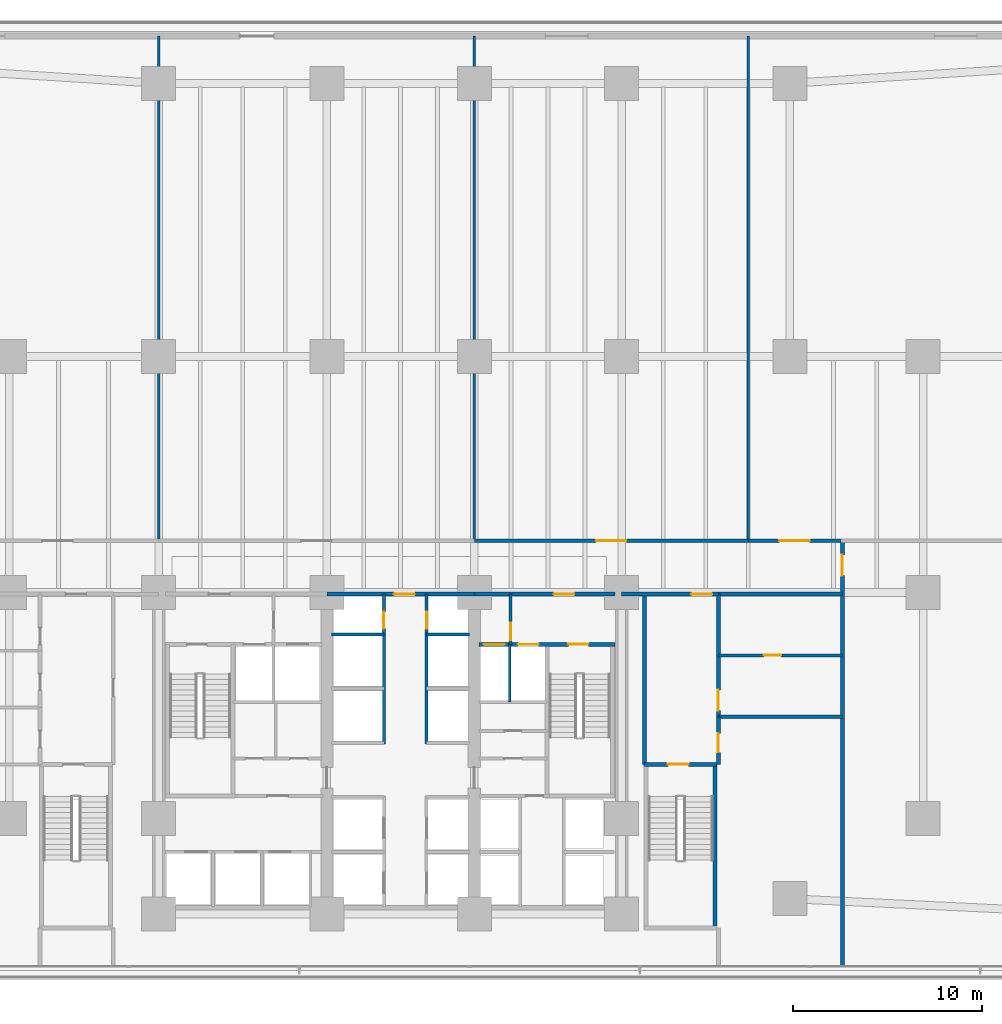
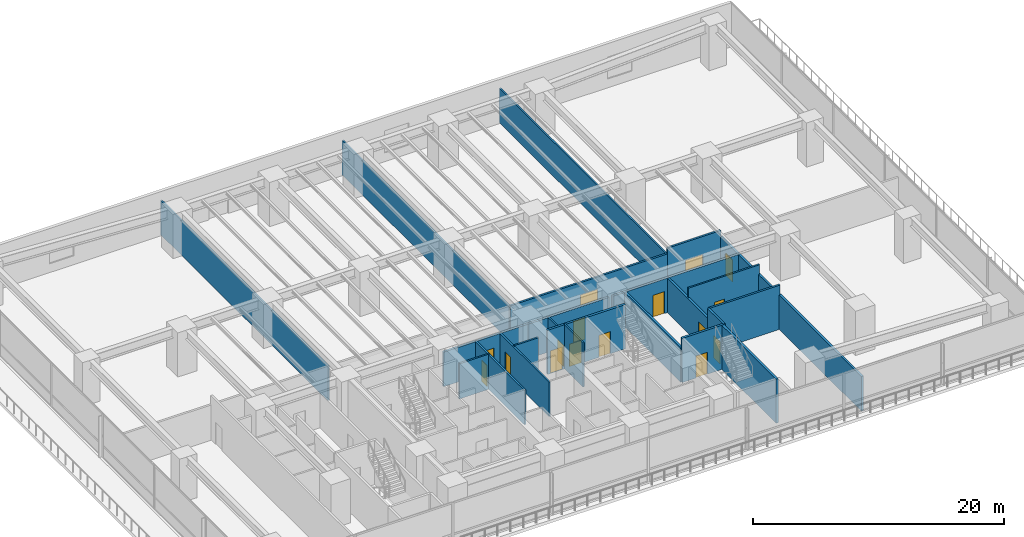
# One storey, part 12 of 28: 24 walls, 16 doors, 16 openings.
"""IFC4 building model written with IfcOpenShell, lengths in metres."""

from ifc_helpers import new_model, si_unit, direction, frame, frame_2d, origin, place, context, subcontext, project, spatial, rectangle, extrude, material, layer, layer_set, type_object, element, fill, save


model = new_model("IFC4")

# Units and contexts
model_context = context("Model", 3, precision=1e-05, world=origin(), true_north=direction((0.0, 1.0)))
body_context = subcontext(model_context, "Body", "Model", "MODEL_VIEW")
ifc_project = project(units=[si_unit("LENGTHUNIT", "METRE"), si_unit("AREAUNIT", "SQUARE_METRE"), si_unit("VOLUMEUNIT", "CUBIC_METRE"), si_unit("PLANEANGLEUNIT", "RADIAN"), si_unit("MASSUNIT", "GRAM", prefix="KILO")], contexts=[model_context])

# Site, building, storey
site_placement = place(None, origin())
site = spatial("IfcSite", under=ifc_project, at=site_placement, CompositionType="ELEMENT")
building_placement = place(site_placement, origin())
building = spatial("IfcBuilding", under=site, at=building_placement, Name="Qalmaran Belvedere Hotel", CompositionType="ELEMENT")
storey_placement = place(building_placement, frame((0.0, 0.0, 10.0)))
storey = spatial("IfcBuildingStorey", under=building, at=storey_placement, Name="L02", CompositionType="ELEMENT", Elevation=10.0)

# Walls
ifc_material_1 = material(Name="Gypsum Stud Partition")
ifc_layer_1 = layer(ifc_material_1, 0.14990234375, Name="Gypsum Stud Partition")
ifc_layer_set_1 = layer_set([ifc_layer_1], Name="Gypsum Stud Partition")
wall_type_1 = type_object("IfcWallType", Name="WL-INT-150-EI120", PredefinedType="PARTITIONING", material=ifc_layer_set_1)
wall_1_placement = place(storey_placement, frame((38.8798828125, 14.719970703125, 0.0), z_axis=(0.0, 0.0, 1.0), x_axis=(0.0, 1.0, 0.0)))
element("IfcWall", 1, at=wall_1_placement, inside=storey, type_object=wall_type_1, Name="L02 Partition WL-FF2M-L02", PredefinedType="PARTITIONING", context=body_context, shape_type="SweptSolid", body=[
    extrude(rectangle(XDim=3.0400390625, YDim=0.14990234375, at=frame_2d((1.52001953125, 0.0))), origin(), (0.0, 0.0, 1.0), 4.300048828125),
])
wall_2_placement = place(storey_placement, frame((29.449951171875, 18.280029296875, 0.0), z_axis=(0.0, 0.0, 1.0), x_axis=(1.0, 0.0, 0.0)))
element("IfcWall", 2, at=wall_2_placement, inside=storey, type_object=wall_type_1, Name="L02 Partition WL-PMW-L02-182", PredefinedType="PARTITIONING", context=body_context, shape_type="SweptSolid", body=[
    extrude(rectangle(XDim=2.77001953125, YDim=0.14990234375, at=frame_2d((1.385009765625, 0.0))), origin(), (0.0, 0.0, 1.0), 3.429931640625),
])
wall_3_placement = place(storey_placement, frame((34.47998046875, 18.280029296875, 0.0), z_axis=(0.0, 0.0, 1.0), x_axis=(1.0, 0.0, 0.0)))
element("IfcWall", 3, at=wall_3_placement, inside=storey, type_object=wall_type_1, Name="L02 Partition WL-PME-L02-182", PredefinedType="PARTITIONING", context=body_context, shape_type="SweptSolid", body=[
    extrude(rectangle(XDim=2.27001953125, YDim=0.14990234375, at=frame_2d((1.135009765625, 0.0))), origin(), (0.0, 0.0, 1.0), 3.429931640625),
])

# Wall, opening, door
ifc_layer_2 = layer(ifc_material_1, 0.14990234375, Name="Gypsum Stud Partition")
ifc_layer_set_2 = layer_set([ifc_layer_2], Name="Gypsum Stud Partition")
wall_type_2 = type_object("IfcWallType", Name="WL-INT-150-EI60", PredefinedType="PARTITIONING", material=ifc_layer_set_2)
wall_4_placement = place(storey_placement, frame((49.919921875, 17.179931640625, 0.0), z_axis=(0.0, 0.0, 1.0), x_axis=(1.0, 0.0, 0.0)))
wall_4 = element("IfcWall", 4, at=wall_4_placement, inside=storey, type_object=wall_type_2, Name="L02 Partition WL-L02-FCCH2", PredefinedType="PARTITIONING", context=body_context, shape_type="SweptSolid", body=[
    extrude(rectangle(XDim=6.56005859375, YDim=0.14990234375, at=frame_2d((3.280029296875, 0.0))), origin(), (0.0, 0.0, 1.0), 4.300048828125),
])
opening_1_placement = place(wall_4_placement, frame((3.31982421875, 0.0, 0.0), z_axis=(0.0, 0.0, 1.0), x_axis=(-1.0, 0.0, 0.0)))
opening_1 = element("IfcOpeningElement", 5, at=opening_1_placement, cuts=wall_4, Name="Opening FD60S1", PredefinedType="OPENING", context=body_context, shape_type="SweptSolid", body=[
    extrude(rectangle(XDim=0.919921875, YDim=2.080078125, at=frame_2d((0.4599609375, 1.0400390625))), frame((0.0, 0.0849609375, 0.0), z_axis=(0.0, -1.0, 0.0), x_axis=(1.0, 0.0, 0.0)), (0.0, 0.0, 1.0), 0.169921875),
])
ifc_material_2 = material(Name="Engineered Oak Veneer")
door_type_1 = type_object("IfcDoorType", Name="DR-FD60S-920X2080", OperationType="NOTDEFINED", PredefinedType="DOOR", material=ifc_material_2)
door_1_placement = place(opening_1_placement, origin())
door_1 = element("IfcDoor", 6, at=door_1_placement, inside=storey, type_object=door_type_1, Name="L02 Silver Store Door", OperationType="SINGLE_SWING_LEFT", OverallHeight=2.080078125, OverallWidth=0.919921875, PredefinedType="DOOR", context=body_context, shape_type="SweptSolid", body=[
    extrude(rectangle(XDim=0.919921875, YDim=2.080078125, at=frame_2d((0.4599609375, 1.0400390625))), frame((0.0, 0.02490234375, 0.0), z_axis=(0.0, -1.0, 0.0), x_axis=(1.0, 0.0, 0.0)), (0.0, 0.0, 1.0), 0.050048828125),
])
fill(opening_1, door_1)

ifc_layer_3 = layer(ifc_material_1, 0.159912109375, Name="Gypsum Stud Partition")
ifc_layer_set_3 = layer_set([ifc_layer_3], Name="Gypsum Stud Partition")
wall_type_3 = type_object("IfcWallType", Name="WL-INT-160-EI120", PredefinedType="PARTITIONING", material=ifc_layer_set_3)
wall_5_placement = place(storey_placement, frame((38.919921875, 17.760009765625, 0.0), z_axis=(0.0, 0.0, 1.0), x_axis=(0.0, 1.0, 0.0)))
wall_5 = element("IfcWall", 7, at=wall_5_placement, inside=storey, type_object=wall_type_3, Name="L02 Partition WL-FFSV2-L02", PredefinedType="PARTITIONING", context=body_context, shape_type="SweptSolid", body=[
    extrude(rectangle(XDim=2.659912109375, YDim=0.159912109375, at=frame_2d((1.330078125, 0.0))), origin(), (0.0, 0.0, 1.0), 3.364013671875),
])
opening_2_placement = place(wall_5_placement, frame((1.139892578125, 0.0, 0.0), z_axis=(0.0, 0.0, 1.0), x_axis=(-1.0, 0.0, 0.0)))
opening_2 = element("IfcOpeningElement", 8, at=opening_2_placement, cuts=wall_5, Name="Opening FD60S1", PredefinedType="OPENING", context=body_context, shape_type="SweptSolid", body=[
    extrude(rectangle(XDim=0.919921875, YDim=2.080078125, at=frame_2d((0.4599609375, 1.0400390625))), frame((0.0, 0.08984375, 0.0), z_axis=(0.0, -1.0, 0.0), x_axis=(1.0, 0.0, 0.0)), (0.0, 0.0, 1.0), 0.179931640625),
])
door_2_placement = place(opening_2_placement, origin())
door_2 = element("IfcDoor", 9, at=door_2_placement, inside=storey, type_object=door_type_1, Name="L02 Service Lobby East Door", OperationType="SINGLE_SWING_LEFT", OverallHeight=2.080078125, OverallWidth=0.919921875, PredefinedType="DOOR", context=body_context, shape_type="SweptSolid", body=[
    extrude(rectangle(XDim=0.919921875, YDim=2.080078125, at=frame_2d((0.4599609375, 1.0400390625))), frame((0.0, 0.02490234375, 0.0), z_axis=(0.0, -1.0, 0.0), x_axis=(1.0, 0.0, 0.0)), (0.0, 0.0, 1.0), 0.050048828125),
])
fill(opening_2, door_2)

wall_6_placement = place(storey_placement, frame((32.219970703125, 12.5, 0.0), z_axis=(0.0, 0.0, 1.0), x_axis=(0.0, 1.0, 0.0)))
wall_6 = element("IfcWall", 10, at=wall_6_placement, inside=storey, type_object=wall_type_3, Name="L02 Partition WL-CLBWN-L02", PredefinedType="PARTITIONING", context=body_context, shape_type="SweptSolid", body=[
    extrude(rectangle(XDim=7.919921875, YDim=0.159912109375, at=frame_2d((3.9599609375, 0.0))), origin(), (0.0, 0.0, 1.0), 3.364013671875),
])
opening_3_placement = place(wall_6_placement, frame((6.10009765625, 0.0, 0.0)))
opening_3 = element("IfcOpeningElement", 11, at=opening_3_placement, cuts=wall_6, Name="Opening FD60B", PredefinedType="OPENING", context=body_context, shape_type="SweptSolid", body=[
    extrude(rectangle(XDim=0.8798828125, YDim=2.080078125, at=frame_2d((0.43994140625, 1.0400390625))), frame((0.0, 0.08984375, 0.0), z_axis=(0.0, -1.0, 0.0), x_axis=(1.0, 0.0, 0.0)), (0.0, 0.0, 1.0), 0.179931640625),
])
ifc_material_3 = material(Name="Steel S355JR", Category="steel")
door_type_2 = type_object("IfcDoorType", Name="DR-FD60B-880X2080", OperationType="NOTDEFINED", PredefinedType="DOOR", material=ifc_material_3)
door_3_placement = place(opening_3_placement, origin())
door_3 = element("IfcDoor", 12, at=door_3_placement, inside=storey, type_object=door_type_2, Name="L02 West Riser Access Door", OperationType="SINGLE_SWING_LEFT", OverallHeight=2.080078125, OverallWidth=0.8798828125, PredefinedType="DOOR", context=body_context, shape_type="SweptSolid", body=[
    extrude(rectangle(XDim=0.8798828125, YDim=2.080078125, at=frame_2d((0.43994140625, 1.0400390625))), frame((0.0, 0.02490234375, 0.0), z_axis=(0.0, -1.0, 0.0), x_axis=(1.0, 0.0, 0.0)), (0.0, 0.0, 1.0), 0.050048828125),
])
fill(opening_3, door_3)

wall_7_placement = place(storey_placement, frame((34.47998046875, 12.5, 0.0), z_axis=(0.0, 0.0, 1.0), x_axis=(0.0, 1.0, 0.0)))
wall_7 = element("IfcWall", 13, at=wall_7_placement, inside=storey, type_object=wall_type_3, Name="L02 Partition WL-CLBEN-L02", PredefinedType="PARTITIONING", context=body_context, shape_type="SweptSolid", body=[
    extrude(rectangle(XDim=7.919921875, YDim=0.159912109375, at=frame_2d((3.9599609375, 0.0))), origin(), (0.0, 0.0, 1.0), 3.364013671875),
])
opening_4_placement = place(wall_7_placement, frame((6.97998046875, 0.0, 0.0), z_axis=(0.0, 0.0, 1.0), x_axis=(-1.0, 0.0, 0.0)))
opening_4 = element("IfcOpeningElement", 14, at=opening_4_placement, cuts=wall_7, Name="Opening FD60B", PredefinedType="OPENING", context=body_context, shape_type="SweptSolid", body=[
    extrude(rectangle(XDim=0.8798828125, YDim=2.080078125, at=frame_2d((0.43994140625, 1.0400390625))), frame((0.0, 0.08984375, 0.0), z_axis=(0.0, -1.0, 0.0), x_axis=(1.0, 0.0, 0.0)), (0.0, 0.0, 1.0), 0.179931640625),
])
door_4_placement = place(opening_4_placement, origin())
door_4 = element("IfcDoor", 15, at=door_4_placement, inside=storey, type_object=door_type_2, Name="L02 East Riser Access Door", OperationType="SINGLE_SWING_RIGHT", OverallHeight=2.080078125, OverallWidth=0.8798828125, PredefinedType="DOOR", context=body_context, shape_type="SweptSolid", body=[
    extrude(rectangle(XDim=0.8798828125, YDim=2.080078125, at=frame_2d((0.43994140625, 1.0400390625))), frame((0.0, 0.02490234375, 0.0), z_axis=(0.0, -1.0, 0.0), x_axis=(1.0, 0.0, 0.0)), (0.0, 0.0, 1.0), 0.050048828125),
])
fill(opening_4, door_4)

# Wall
ifc_layer_4 = layer(ifc_material_1, 0.179931640625, Name="Gypsum Stud Partition")
ifc_layer_set_4 = layer_set([ifc_layer_4], Name="Gypsum Stud Partition")
wall_type_4 = type_object("IfcWallType", Name="WL-INT-180-EI120", PredefinedType="PARTITIONING", material=ifc_layer_set_4)
wall_8_placement = place(storey_placement, frame((49.919921875, 13.919921875, 0.0), z_axis=(0.0, 0.0, 1.0), x_axis=(1.0, 0.0, 0.0)))
element("IfcWall", 16, at=wall_8_placement, inside=storey, type_object=wall_type_4, Name="L02 Partition WL-L02-FCCH", PredefinedType="PARTITIONING", context=body_context, shape_type="SweptSolid", body=[
    extrude(rectangle(XDim=6.56005859375, YDim=0.179931640625, at=frame_2d((3.280029296875, 0.0))), origin(), (0.0, 0.0, 1.0), 4.300048828125),
])

# Wall, opening, door
ifc_layer_5 = layer(ifc_material_1, 0.179931640625, Name="Gypsum Stud Partition")
ifc_layer_set_5 = layer_set([ifc_layer_5], Name="Gypsum Stud Partition")
wall_type_5 = type_object("IfcWallType", Name="WL-INT-180-EI60", PredefinedType="PARTITIONING", material=ifc_layer_set_5)
wall_9_placement = place(storey_placement, frame((37.0, 23.25, 0.0), z_axis=(0.0, 0.0, 1.0), x_axis=(1.0, 0.0, 0.0)))
wall_9 = element("IfcWall", 17, at=wall_9_placement, inside=storey, type_object=wall_type_5, Name="L02 Partition WL-L02-GND3", PredefinedType="PARTITIONING", context=body_context, shape_type="SweptSolid", body=[
    extrude(rectangle(XDim=14.5, YDim=0.179931640625, at=frame_2d((7.25, 0.0))), origin(), (0.0, 0.0, 1.0), 3.429931640625),
])
opening_5_placement = place(wall_9_placement, frame((6.449951171875, 0.0, 0.0)))
opening_5 = element("IfcOpeningElement", 18, at=opening_5_placement, cuts=wall_9, Name="Opening FD60D", PredefinedType="OPENING", context=body_context, shape_type="SweptSolid", body=[
    extrude(rectangle(XDim=1.60009765625, YDim=2.219970703125, at=frame_2d((0.800048828125, 1.10986328125))), frame((0.0, 0.10009765625, 0.0), z_axis=(0.0, -1.0, 0.0), x_axis=(1.0, 0.0, 0.0)), (0.0, 0.0, 1.0), 0.199951171875),
])
door_type_3 = type_object("IfcDoorType", Name="DR-FD60D-1600X2220", OperationType="NOTDEFINED", PredefinedType="DOOR", material=ifc_material_2)
door_5_placement = place(opening_5_placement, origin())
door_5 = element("IfcDoor", 19, at=door_5_placement, inside=storey, type_object=door_type_3, Name="L02 Grand Ballroom Central Door", OperationType="DOUBLE_DOOR_SINGLE_SWING", OverallHeight=2.219970703125, OverallWidth=1.60009765625, PredefinedType="DOOR", context=body_context, shape_type="SweptSolid", body=[
    extrude(rectangle(XDim=1.60009765625, YDim=2.219970703125, at=frame_2d((0.800048828125, 1.10986328125))), frame((0.0, 0.02490234375, 0.0), z_axis=(0.0, -1.0, 0.0), x_axis=(1.0, 0.0, 0.0)), (0.0, 0.0, 1.0), 0.050048828125),
])
fill(opening_5, door_5)

wall_10_placement = place(storey_placement, frame((51.5, 23.25, 0.0), z_axis=(0.0, 0.0, 1.0), x_axis=(1.0, 0.0, 0.0)))
wall_10 = element("IfcWall", 20, at=wall_10_placement, inside=storey, type_object=wall_type_5, Name="L02 Partition WL-L02-GND4", PredefinedType="PARTITIONING", context=body_context, shape_type="SweptSolid", body=[
    extrude(rectangle(XDim=4.89990234375, YDim=0.179931640625, at=frame_2d((2.449951171875, 0.0))), origin(), (0.0, 0.0, 1.0), 3.98193359375),
])
opening_6_placement = place(wall_10_placement, frame((1.64990234375, 0.0, 0.0)))
opening_6 = element("IfcOpeningElement", 21, at=opening_6_placement, cuts=wall_10, Name="Opening FD60D", PredefinedType="OPENING", context=body_context, shape_type="SweptSolid", body=[
    extrude(rectangle(XDim=1.60009765625, YDim=2.219970703125, at=frame_2d((0.800048828125, 1.10986328125))), frame((0.0, 0.10009765625, 0.0), z_axis=(0.0, -1.0, 0.0), x_axis=(1.0, 0.0, 0.0)), (0.0, 0.0, 1.0), 0.199951171875),
])
door_6_placement = place(opening_6_placement, origin())
door_6 = element("IfcDoor", 22, at=door_6_placement, inside=storey, type_object=door_type_3, Name="L02 Grand Ballroom East Door", OperationType="DOUBLE_DOOR_SINGLE_SWING", OverallHeight=2.219970703125, OverallWidth=1.60009765625, PredefinedType="DOOR", context=body_context, shape_type="SweptSolid", body=[
    extrude(rectangle(XDim=1.60009765625, YDim=2.219970703125, at=frame_2d((0.800048828125, 1.10986328125))), frame((0.0, 0.02490234375, 0.0), z_axis=(0.0, -1.0, 0.0), x_axis=(1.0, 0.0, 0.0)), (0.0, 0.0, 1.0), 0.050048828125),
])
fill(opening_6, door_6)

ifc_material_4 = material(Name="Concrete C30/37 Blockwork", Category="masonry")
ifc_layer_6 = layer(ifc_material_4, 0.199951171875, Name="Concrete C30/37 Blockwork")
ifc_layer_set_6 = layer_set([ifc_layer_6], Name="Concrete C30/37 Blockwork")
wall_type_6 = type_object("IfcWallType", Name="WL-INT-200-EI120", PredefinedType="PARTITIONING", material=ifc_layer_set_6)
wall_11_placement = place(storey_placement, frame((29.199951171875, 20.419921875, 0.0), z_axis=(0.0, 0.0, 1.0), x_axis=(1.0, 0.0, 0.0)))
wall_11 = element("IfcWall", 23, at=wall_11_placement, inside=storey, type_object=wall_type_6, Name="L02 Partition WL-CN2-L02", PredefinedType="PARTITIONING", context=body_context, shape_type="SweptSolid", body=[
    extrude(rectangle(XDim=7.800048828125, YDim=0.199951171875, at=frame_2d((3.89990234375, 0.0))), origin(), (0.0, 0.0, 1.0), 3.364013671875),
])
opening_7_placement = place(wall_11_placement, frame((3.550048828125, 0.0, 0.0)))
opening_7 = element("IfcOpeningElement", 24, at=opening_7_placement, cuts=wall_11, Name="Opening FD90", PredefinedType="OPENING", context=body_context, shape_type="SweptSolid", body=[
    extrude(rectangle(XDim=1.10009765625, YDim=2.14990234375, at=frame_2d((0.550048828125, 1.074951171875))), frame((0.0, 0.10986328125, 0.0), z_axis=(0.0, -1.0, 0.0), x_axis=(1.0, 0.0, 0.0)), (0.0, 0.0, 1.0), 0.219970703125),
])
door_type_4 = type_object("IfcDoorType", Name="DR-FD90-1100X2150", OperationType="NOTDEFINED", PredefinedType="DOOR", material=ifc_material_3)
door_7_placement = place(opening_7_placement, origin())
door_7 = element("IfcDoor", 25, at=door_7_placement, inside=storey, type_object=door_type_4, Name="L02 Central Lift Lobby Door", OperationType="SINGLE_SWING_LEFT", OverallHeight=2.14990234375, OverallWidth=1.10009765625, PredefinedType="DOOR", context=body_context, shape_type="SweptSolid", body=[
    extrude(rectangle(XDim=1.10009765625, YDim=2.14990234375, at=frame_2d((0.550048828125, 1.074951171875))), frame((0.0, 0.02490234375, 0.0), z_axis=(0.0, -1.0, 0.0), x_axis=(1.0, 0.0, 0.0)), (0.0, 0.0, 1.0), 0.050048828125),
])
fill(opening_7, door_7)

wall_12_placement = place(storey_placement, frame((37.0, 20.419921875, 0.0), z_axis=(0.0, 0.0, 1.0), x_axis=(1.0, 0.0, 0.0)))
wall_12 = element("IfcWall", 26, at=wall_12_placement, inside=storey, type_object=wall_type_6, Name="L02 Partition WL-CN3-L02", PredefinedType="PARTITIONING", context=body_context, shape_type="SweptSolid", body=[
    extrude(rectangle(XDim=7.449951171875, YDim=0.199951171875, at=frame_2d((3.72509765625, 0.0))), origin(), (0.0, 0.0, 1.0), 3.364013671875),
])
opening_8_placement = place(wall_12_placement, frame((4.199951171875, 0.0, 0.0)))
opening_8 = element("IfcOpeningElement", 27, at=opening_8_placement, cuts=wall_12, Name="Opening FD90", PredefinedType="OPENING", context=body_context, shape_type="SweptSolid", body=[
    extrude(rectangle(XDim=1.10009765625, YDim=2.14990234375, at=frame_2d((0.550048828125, 1.074951171875))), frame((0.0, 0.10986328125, 0.0), z_axis=(0.0, -1.0, 0.0), x_axis=(1.0, 0.0, 0.0)), (0.0, 0.0, 1.0), 0.219970703125),
])
door_8_placement = place(opening_8_placement, origin())
door_8 = element("IfcDoor", 28, at=door_8_placement, inside=storey, type_object=door_type_4, Name="L02 FF2 Lobby Corridor Door", OperationType="SINGLE_SWING_RIGHT", OverallHeight=2.14990234375, OverallWidth=1.10009765625, PredefinedType="DOOR", context=body_context, shape_type="SweptSolid", body=[
    extrude(rectangle(XDim=1.10009765625, YDim=2.14990234375, at=frame_2d((0.550048828125, 1.074951171875))), frame((0.0, 0.02490234375, 0.0), z_axis=(0.0, -1.0, 0.0), x_axis=(1.0, 0.0, 0.0)), (0.0, 0.0, 1.0), 0.050048828125),
])
fill(opening_8, door_8)

# Wall
wall_13_placement = place(storey_placement, frame((46.0, 11.39990234375, 0.0), z_axis=(0.0, 0.0, 1.0), x_axis=(0.0, 1.0, 0.0)))
element("IfcWall", 29, at=wall_13_placement, inside=storey, type_object=wall_type_6, Name="L02 Partition WL-L02-STPE1", PredefinedType="PARTITIONING", context=body_context, shape_type="SweptSolid", body=[
    extrude(rectangle(XDim=9.02001953125, YDim=0.199951171875, at=frame_2d((4.510009765625, 0.0))), origin(), (0.0, 0.0, 1.0), 3.364013671875),
])

# Wall, opening, door
wall_14_placement = place(storey_placement, frame((49.919921875, 11.39990234375, 0.0), z_axis=(0.0, 0.0, 1.0), x_axis=(0.0, 1.0, 0.0)))
wall_14 = element("IfcWall", 30, at=wall_14_placement, inside=storey, type_object=wall_type_6, Name="L02 Partition WL-L02-STPE2A", PredefinedType="PARTITIONING", context=body_context, shape_type="SweptSolid", body=[
    extrude(rectangle(XDim=2.52001953125, YDim=0.199951171875, at=frame_2d((1.260009765625, 0.0))), origin(), (0.0, 0.0, 1.0), 4.300048828125),
])
opening_9_placement = place(wall_14_placement, frame((1.64990234375, 0.0, 0.0), z_axis=(0.0, 0.0, 1.0), x_axis=(-1.0, 0.0, 0.0)))
opening_9 = element("IfcOpeningElement", 31, at=opening_9_placement, cuts=wall_14, Name="Opening FD90B", PredefinedType="OPENING", context=body_context, shape_type="SweptSolid", body=[
    extrude(rectangle(XDim=1.0, YDim=2.14990234375, at=frame_2d((0.5, 1.074951171875))), frame((0.0, 0.10986328125, 0.0), z_axis=(0.0, -1.0, 0.0), x_axis=(1.0, 0.0, 0.0)), (0.0, 0.0, 1.0), 0.219970703125),
])
door_type_5 = type_object("IfcDoorType", Name="DR-FD90B-1000X2150", OperationType="NOTDEFINED", PredefinedType="DOOR", material=ifc_material_3)
door_9_placement = place(opening_9_placement, origin())
door_9 = element("IfcDoor", 32, at=door_9_placement, inside=storey, type_object=door_type_5, Name="L02 Kitchen Door", OperationType="SINGLE_SWING_RIGHT", OverallHeight=2.14990234375, OverallWidth=1.0, PredefinedType="DOOR", context=body_context, shape_type="SweptSolid", body=[
    extrude(rectangle(XDim=1.0, YDim=2.14990234375, at=frame_2d((0.5, 1.074951171875))), frame((0.0, 0.02490234375, 0.0), z_axis=(0.0, -1.0, 0.0), x_axis=(1.0, 0.0, 0.0)), (0.0, 0.0, 1.0), 0.050048828125),
])
fill(opening_9, door_9)

wall_15_placement = place(storey_placement, frame((49.919921875, 13.919921875, 0.0), z_axis=(0.0, 0.0, 1.0), x_axis=(0.0, 1.0, 0.0)))
wall_15 = element("IfcWall", 33, at=wall_15_placement, inside=storey, type_object=wall_type_6, Name="L02 Partition WL-L02-STPE2B", PredefinedType="PARTITIONING", context=body_context, shape_type="SweptSolid", body=[
    extrude(rectangle(XDim=6.5, YDim=0.199951171875, at=frame_2d((3.25, 0.0))), origin(), (0.0, 0.0, 1.0), 3.364013671875),
])
opening_10_placement = place(wall_15_placement, frame((1.438232421875, 0.0, 0.0), z_axis=(0.0, 0.0, 1.0), x_axis=(-1.0, 0.0, 0.0)))
opening_10 = element("IfcOpeningElement", 34, at=opening_10_placement, cuts=wall_15, Name="Opening FD90", PredefinedType="OPENING", context=body_context, shape_type="SweptSolid", body=[
    extrude(rectangle(XDim=1.10009765625, YDim=2.14990234375, at=frame_2d((0.550048828125, 1.074951171875))), frame((0.0, 0.10986328125, 0.0), z_axis=(0.0, -1.0, 0.0), x_axis=(1.0, 0.0, 0.0)), (0.0, 0.0, 1.0), 0.219970703125),
])
door_10_placement = place(opening_10_placement, origin())
door_10 = element("IfcDoor", 35, at=door_10_placement, inside=storey, type_object=door_type_4, Name="L02 Fire Command Door", OperationType="SINGLE_SWING_LEFT", OverallHeight=2.14990234375, OverallWidth=1.10009765625, PredefinedType="DOOR", context=body_context, shape_type="SweptSolid", body=[
    extrude(rectangle(XDim=1.10009765625, YDim=2.14990234375, at=frame_2d((0.550048828125, 1.074951171875))), frame((0.0, 0.02490234375, 0.0), z_axis=(0.0, -1.0, 0.0), x_axis=(1.0, 0.0, 0.0)), (0.0, 0.0, 1.0), 0.050048828125),
])
fill(opening_10, door_10)

wall_16_placement = place(storey_placement, frame((44.800048828125, 20.419921875, 0.0), z_axis=(0.0, 0.0, 1.0), x_axis=(1.0, 0.0, 0.0)))
wall_16 = element("IfcWall", 36, at=wall_16_placement, inside=storey, type_object=wall_type_6, Name="L02 Partition WL-L02-CSE", PredefinedType="PARTITIONING", context=body_context, shape_type="SweptSolid", body=[
    extrude(rectangle(XDim=5.119873046875, YDim=0.199951171875, at=frame_2d((2.56005859375, 0.0))), origin(), (0.0, 0.0, 1.0), 3.364013671875),
])
opening_11_placement = place(wall_16_placement, frame((4.78076171875, 0.0, 0.0), z_axis=(0.0, 0.0, 1.0), x_axis=(-1.0, 0.0, 0.0)))
opening_11 = element("IfcOpeningElement", 37, at=opening_11_placement, cuts=wall_16, Name="Opening FD90", PredefinedType="OPENING", context=body_context, shape_type="SweptSolid", body=[
    extrude(rectangle(XDim=1.10009765625, YDim=2.14990234375, at=frame_2d((0.550048828125, 1.074951171875))), frame((0.0, 0.10986328125, 0.0), z_axis=(0.0, -1.0, 0.0), x_axis=(1.0, 0.0, 0.0)), (0.0, 0.0, 1.0), 0.219970703125),
])
door_11_placement = place(opening_11_placement, origin())
door_11 = element("IfcDoor", 38, at=door_11_placement, inside=storey, type_object=door_type_4, Name="L02 East Stair Corridor Door", OperationType="SINGLE_SWING_RIGHT", OverallHeight=2.14990234375, OverallWidth=1.10009765625, PredefinedType="DOOR", context=body_context, shape_type="SweptSolid", body=[
    extrude(rectangle(XDim=1.10009765625, YDim=2.14990234375, at=frame_2d((0.550048828125, 1.074951171875))), frame((0.0, 0.02490234375, 0.0), z_axis=(0.0, -1.0, 0.0), x_axis=(1.0, 0.0, 0.0)), (0.0, 0.0, 1.0), 0.050048828125),
])
fill(opening_11, door_11)

# Wall
wall_17_placement = place(storey_placement, frame((49.919921875, 20.419921875, 0.0), z_axis=(0.0, 0.0, 1.0), x_axis=(1.0, 0.0, 0.0)))
element("IfcWall", 39, at=wall_17_placement, inside=storey, type_object=wall_type_6, Name="L02 Partition WL-L02-CSEN", PredefinedType="PARTITIONING", context=body_context, shape_type="SweptSolid", body=[
    extrude(rectangle(XDim=6.56005859375, YDim=0.199951171875, at=frame_2d((3.280029296875, 0.0))), origin(), (0.0, 0.0, 1.0), 3.364013671875),
])

# Wall, opening, door
wall_18_placement = place(storey_placement, frame((56.47998046875, 0.719970703125, 0.0), z_axis=(0.0, 0.0, 1.0), x_axis=(0.0, 1.0, 0.0)))
wall_18 = element("IfcWall", 40, at=wall_18_placement, inside=storey, type_object=wall_type_6, Name="L02 Partition WL-L02-FCCE", PredefinedType="PARTITIONING", context=body_context, shape_type="SweptSolid", body=[
    extrude(rectangle(XDim=22.530029296875, YDim=0.199951171875, at=frame_2d((11.26513671875, 0.0))), origin(), (0.0, 0.0, 1.0), 3.364013671875),
])
opening_12_placement = place(wall_18_placement, frame((21.780029296875, 0.0, 0.0), z_axis=(0.0, 0.0, 1.0), x_axis=(-1.0, 0.0, 0.0)))
opening_12 = element("IfcOpeningElement", 41, at=opening_12_placement, cuts=wall_18, Name="Opening FD90", PredefinedType="OPENING", context=body_context, shape_type="SweptSolid", body=[
    extrude(rectangle(XDim=1.10009765625, YDim=2.14990234375, at=frame_2d((0.550048828125, 1.074951171875))), frame((0.0, 0.10986328125, 0.0), z_axis=(0.0, -1.0, 0.0), x_axis=(1.0, 0.0, 0.0)), (0.0, 0.0, 1.0), 0.219970703125),
])
door_12_placement = place(opening_12_placement, origin())
door_12 = element("IfcDoor", 42, at=door_12_placement, inside=storey, type_object=door_type_4, Name="L02 East Wing Door", OperationType="SINGLE_SWING_LEFT", OverallHeight=2.14990234375, OverallWidth=1.10009765625, PredefinedType="DOOR", context=body_context, shape_type="SweptSolid", body=[
    extrude(rectangle(XDim=1.10009765625, YDim=2.14990234375, at=frame_2d((0.550048828125, 1.074951171875))), frame((0.0, 0.02490234375, 0.0), z_axis=(0.0, -1.0, 0.0), x_axis=(1.0, 0.0, 0.0)), (0.0, 0.0, 1.0), 0.050048828125),
])
fill(opening_12, door_12)

# Walls
ifc_material_5 = material(Name="Acoustic Timber Operable Wall", Category="wood")
ifc_layer_7 = layer(ifc_material_5, 0.139892578125, Name="Acoustic Timber Operable Wall")
ifc_layer_set_7 = layer_set([ifc_layer_7], Name="Acoustic Timber Operable Wall")
wall_type_7 = type_object("IfcWallType", Name="WL-MOV-140-AC", PredefinedType="MOVABLE", material=ifc_layer_set_7)
for number, where, z_axis, x_axis, name in (
    (43, (20.300048828125, 23.25, 0.0), (0.0, 0.0, 1.0), (0.0, 1.0, 0.0), "L02 Partition WL-L02-GV1"),
    (44, (37.0, 23.25, 0.0), (0.0, 0.0, 1.0), (0.0, 1.0, 0.0), "L02 Partition WL-L02-GV2"),
    (45, (51.5, 23.25, 0.0), (0.0, 0.0, 1.0), (0.0, 1.0, 0.0), "L02 Partition WL-L02-GV3"),
):
    element("IfcWall", number, at=place(storey_placement, frame(where, z_axis=z_axis, x_axis=x_axis)), inside=storey, type_object=wall_type_7, Name=name, PredefinedType="MOVABLE", context=body_context, shape_type="SweptSolid", body=[
        extrude(rectangle(XDim=26.699951171875, YDim=0.139892578125, at=frame_2d((13.35009765625, 0.0))), origin(), (0.0, 0.0, 1.0), 3.364013671875),
    ])

# Wall, openings, doors
ifc_material_6 = material(Name="Concrete C50/60", Category="concrete")
ifc_layer_8 = layer(ifc_material_6, 0.2099609375, Name="Concrete C50/60")
ifc_layer_set_8 = layer_set([ifc_layer_8], Name="Concrete C50/60")
wall_type_8 = type_object("IfcWallType", Name="WL-STAIR-210-C50", PredefinedType="SHEAR", material=ifc_layer_set_8)
wall_19_placement = place(storey_placement, frame((37.25, 17.7548828125, 0.0), z_axis=(0.0, 0.0, 1.0), x_axis=(1.0, 0.0, 0.0)))
wall_19 = element("IfcWall", 46, at=wall_19_placement, inside=storey, type_object=wall_type_8, Name="L02 East Lobby and Stair ST-2 North Bearing Wall", PredefinedType="SHEAR", context=body_context, shape_type="SweptSolid", body=[
    extrude(rectangle(XDim=7.199951171875, YDim=0.2099609375, at=frame_2d((3.60009765625, 0.0))), origin(), (0.0, 0.0, 1.0), 4.300048828125),
])
opening_13_placement = place(wall_19_placement, frame((0.25, 0.0, 0.0)))
opening_13 = element("IfcOpeningElement", 47, at=opening_13_placement, cuts=wall_19, Name="Opening LD-SV", PredefinedType="OPENING", context=body_context, shape_type="SweptSolid", body=[
    extrude(rectangle(XDim=1.1201171875, YDim=2.199951171875, at=frame_2d((0.56005859375, 1.10009765625))), frame((0.0, 0.114990234375, 0.0), z_axis=(0.0, -1.0, 0.0), x_axis=(1.0, 0.0, 0.0)), (0.0, 0.0, 1.0), 0.22998046875),
])
opening_14_placement = place(wall_19_placement, frame((2.050048828125, 0.0, 0.0)))
opening_14 = element("IfcOpeningElement", 48, at=opening_14_placement, cuts=wall_19, Name="Opening LD-FF", PredefinedType="OPENING", context=body_context, shape_type="SweptSolid", body=[
    extrude(rectangle(XDim=1.10009765625, YDim=2.179931640625, at=frame_2d((0.550048828125, 1.08984375))), frame((0.0, 0.114990234375, 0.0), z_axis=(0.0, -1.0, 0.0), x_axis=(1.0, 0.0, 0.0)), (0.0, 0.0, 1.0), 0.22998046875),
])
opening_15_placement = place(wall_19_placement, frame((5.780029296875, 0.0, 0.0), z_axis=(0.0, 0.0, 1.0), x_axis=(-1.0, 0.0, 0.0)))
opening_15 = element("IfcOpeningElement", 49, at=opening_15_placement, cuts=wall_19, Name="Opening FD90S2", PredefinedType="OPENING", context=body_context, shape_type="SweptSolid", body=[
    extrude(rectangle(XDim=1.050048828125, YDim=2.14990234375, at=frame_2d((0.52490234375, 1.074951171875))), frame((0.0, 0.114990234375, 0.0), z_axis=(0.0, -1.0, 0.0), x_axis=(1.0, 0.0, 0.0)), (0.0, 0.0, 1.0), 0.22998046875),
])
door_type_6 = type_object("IfcDoorType", Name="DR-FD90S-1050X2150", OperationType="NOTDEFINED", PredefinedType="DOOR", material=ifc_material_3)
door_13_placement = place(opening_15_placement, origin())
door_13 = element("IfcDoor", 50, at=door_13_placement, inside=storey, type_object=door_type_6, Name="L02 Stair ST-2 Door", OperationType="SINGLE_SWING_LEFT", OverallHeight=2.14990234375, OverallWidth=1.050048828125, PredefinedType="DOOR", context=body_context, shape_type="SweptSolid", body=[
    extrude(rectangle(XDim=1.050048828125, YDim=2.14990234375, at=frame_2d((0.52490234375, 1.074951171875))), frame((0.0, 0.02490234375, 0.0), z_axis=(0.0, -1.0, 0.0), x_axis=(1.0, 0.0, 0.0)), (0.0, 0.0, 1.0), 0.050048828125),
])
fill(opening_15, door_13)
ifc_material_7 = material(Name="Stainless Steel 1.4401", Category="steel")
door_type_7 = type_object("IfcDoorType", Name="DR-LIFT-FF-1100X2180", OperationType="DOUBLE_DOOR_SLIDING", PredefinedType="DOOR", material=ifc_material_7)
door_14_placement = place(opening_14_placement, origin())
door_14 = element("IfcDoor", 51, at=door_14_placement, inside=storey, type_object=door_type_7, Name="L02 FF2 Lift Landing Door", OperationType="DOUBLE_DOOR_SLIDING", OverallHeight=2.179931640625, OverallWidth=1.10009765625, PredefinedType="DOOR", context=body_context, shape_type="SweptSolid", body=[
    extrude(rectangle(XDim=1.10009765625, YDim=2.179931640625, at=frame_2d((0.550048828125, 1.08984375))), frame((0.0, 0.02490234375, 0.0), z_axis=(0.0, -1.0, 0.0), x_axis=(1.0, 0.0, 0.0)), (0.0, 0.0, 1.0), 0.050048828125),
])
fill(opening_14, door_14)
door_type_8 = type_object("IfcDoorType", Name="DR-LIFT-SV-1120X2200", OperationType="DOUBLE_DOOR_SLIDING", PredefinedType="DOOR", material=ifc_material_7)
door_15_placement = place(opening_13_placement, origin())
door_15 = element("IfcDoor", 52, at=door_15_placement, inside=storey, type_object=door_type_8, Name="L02 SV2 Lift Landing Door", OperationType="DOUBLE_DOOR_SLIDING", OverallHeight=2.199951171875, OverallWidth=1.1201171875, PredefinedType="DOOR", context=body_context, shape_type="SweptSolid", body=[
    extrude(rectangle(XDim=1.1201171875, YDim=2.199951171875, at=frame_2d((0.56005859375, 1.10009765625))), frame((0.0, 0.02490234375, 0.0), z_axis=(0.0, -1.0, 0.0), x_axis=(1.0, 0.0, 0.0)), (0.0, 0.0, 1.0), 0.050048828125),
])
fill(opening_13, door_15)

# Wall
wall_20_placement = place(storey_placement, frame((49.7451171875, 2.639892578125, 0.0), z_axis=(0.0, 0.0, 1.0), x_axis=(0.0, 1.0, 0.0)))
element("IfcWall", 53, at=wall_20_placement, inside=storey, type_object=wall_type_8, Name="L02 Podium Stair STP2 East Bearing Wall", PredefinedType="SHEAR", context=body_context, shape_type="SweptSolid", body=[
    extrude(rectangle(XDim=8.8701171875, YDim=0.2099609375, at=frame_2d((4.43505859375, 0.0))), origin(), (0.0, 0.0, 1.0), 4.300048828125),
])

# Wall, opening, door
wall_21_placement = place(storey_placement, frame((45.989990234375, 11.405029296875, 0.0), z_axis=(0.0, 0.0, 1.0), x_axis=(1.0, 0.0, 0.0)))
wall_21 = element("IfcWall", 54, at=wall_21_placement, inside=storey, type_object=wall_type_8, Name="L02 Podium Stair STP2 North Bearing Wall", PredefinedType="SHEAR", context=body_context, shape_type="SweptSolid", body=[
    extrude(rectangle(XDim=3.860107421875, YDim=0.2099609375, at=frame_2d((1.93017578125, 0.0))), origin(), (0.0, 0.0, 1.0), 4.300048828125),
])
opening_16_placement = place(wall_21_placement, frame((2.35009765625, 0.0, 0.0), z_axis=(0.0, 0.0, 1.0), x_axis=(-1.0, 0.0, 0.0)))
opening_16 = element("IfcOpeningElement", 55, at=opening_16_placement, cuts=wall_21, Name="Opening FD90", PredefinedType="OPENING", context=body_context, shape_type="SweptSolid", body=[
    extrude(rectangle(XDim=1.10009765625, YDim=2.14990234375, at=frame_2d((0.550048828125, 1.074951171875))), frame((0.0, 0.114990234375, 0.0), z_axis=(0.0, -1.0, 0.0), x_axis=(1.0, 0.0, 0.0)), (0.0, 0.0, 1.0), 0.22998046875),
])
door_16_placement = place(opening_16_placement, origin())
door_16 = element("IfcDoor", 56, at=door_16_placement, inside=storey, type_object=door_type_4, Name="L02 Stair ST-P2 Door", OperationType="SINGLE_SWING_LEFT", OverallHeight=2.14990234375, OverallWidth=1.10009765625, PredefinedType="DOOR", context=body_context, shape_type="SweptSolid", body=[
    extrude(rectangle(XDim=1.10009765625, YDim=2.14990234375, at=frame_2d((0.550048828125, 1.074951171875))), frame((0.0, 0.02490234375, 0.0), z_axis=(0.0, -1.0, 0.0), x_axis=(1.0, 0.0, 0.0)), (0.0, 0.0, 1.0), 0.050048828125),
])
fill(opening_16, door_16)

save(model, "model.ifc")
